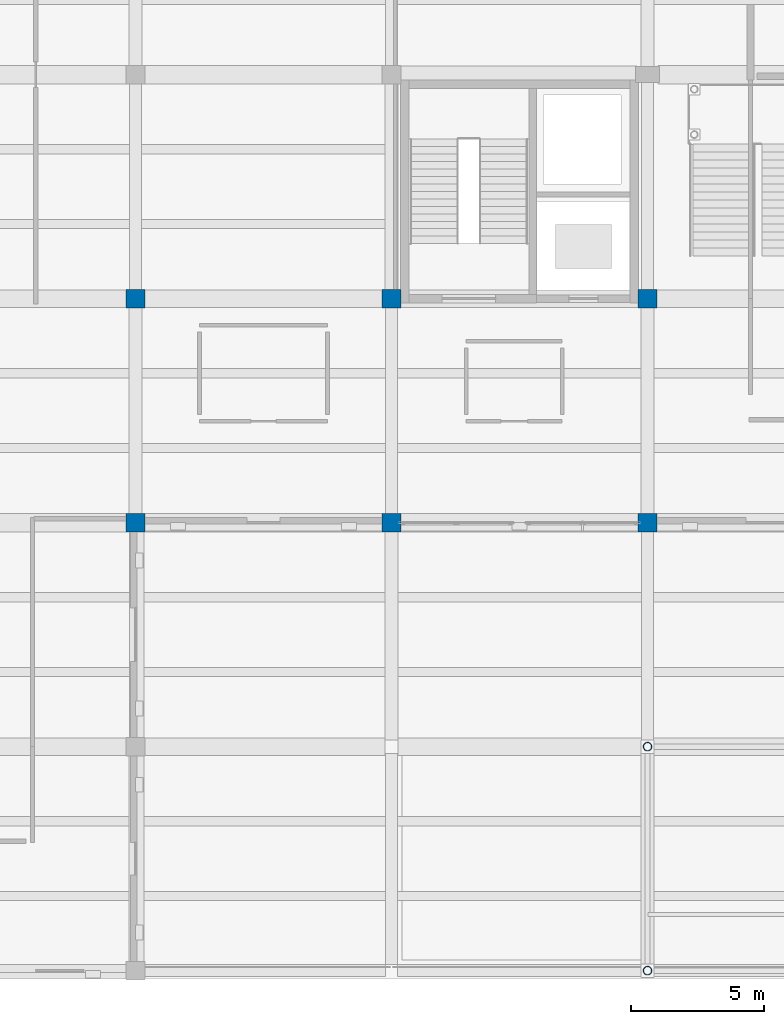
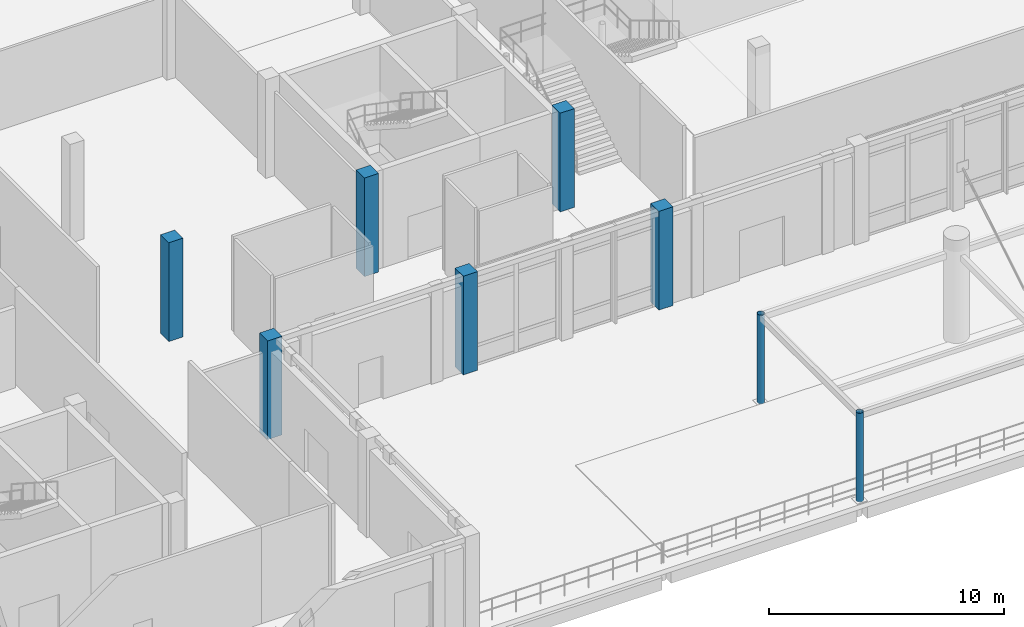
# One storey, part 2 of 71: 8 columns.
"""IFC4 building model written with IfcOpenShell, lengths in metres."""

from ifc_helpers import new_model, si_unit, direction, frame, origin, origin_2d, place, context, subcontext, project, spatial, rectangle, hollow_circle, extrude, material, material_profile, profile_set, type_object, element, save


model = new_model("IFC4")

# Units and contexts
model_context = context("Model", 3, precision=1e-05, world=origin(), true_north=direction((0.0, 1.0)))
body_context = subcontext(model_context, "Body", "Model", "MODEL_VIEW")
ifc_project = project(units=[si_unit("LENGTHUNIT", "METRE"), si_unit("AREAUNIT", "SQUARE_METRE"), si_unit("VOLUMEUNIT", "CUBIC_METRE"), si_unit("PLANEANGLEUNIT", "RADIAN"), si_unit("MASSUNIT", "GRAM", prefix="KILO")], contexts=[model_context])

# Site, building, storey
site_placement = place(None, origin())
site = spatial("IfcSite", under=ifc_project, at=site_placement, CompositionType="ELEMENT")
building_placement = place(site_placement, origin())
building = spatial("IfcBuilding", under=site, at=building_placement, Name="Lornevale Opera House", CompositionType="ELEMENT")
storey_placement = place(building_placement, origin())
storey = spatial("IfcBuildingStorey", under=building, at=storey_placement, Name="L01", CompositionType="ELEMENT", Elevation=0.0)

# Columns
ifc_material_1 = material(Name="Concrete 40 MPa (CSA A23.1 C-1)", Category="concrete")
ifc_material_profile_1 = material_profile(ifc_material_1, rectangle(XDim=0.699951171875, YDim=0.699951171875, at=origin_2d()), Name="RC700x700")
ifc_profile_set_1 = profile_set([ifc_material_profile_1], Name="Concrete 40 MPa (CSA A23.1 C-1)")
column_type_1 = type_object("IfcColumnType", Name="Concrete Column 700x700", PredefinedType="COLUMN", material=ifc_profile_set_1)
for number, where, z_axis, x_axis, name in (
    (1, (38.39990234375, 16.800048828125, 0.0), (0.0, 0.0, 1.0), (1.0, 0.0, 0.0), "Concrete Column 700x700 0227"),
    (2, (38.39990234375, 25.199951171875, 0.0), (0.0, 0.0, 1.0), (1.0, 0.0, 0.0), "Concrete Column 700x700 0232"),
    (3, (48.0, 16.800048828125, 0.0), (0.0, 0.0, 1.0), (1.0, 0.0, 0.0), "Concrete Column 700x700 0291"),
    (4, (48.0, 25.199951171875, 0.0), (0.0, 0.0, 1.0), (1.0, 0.0, 0.0), "Concrete Column 700x700 0296"),
    (5, (57.60009765625, 16.800048828125, 0.0), (0.0, 0.0, 1.0), (1.0, 0.0, 0.0), "Concrete Column 700x700 0354"),
    (6, (57.60009765625, 25.199951171875, 0.0), (0.0, 0.0, 1.0), (1.0, 0.0, 0.0), "Concrete Column 700x700 0359"),
):
    element("IfcColumn", number, at=place(storey_placement, frame(where, z_axis=z_axis, x_axis=x_axis)), inside=storey, type_object=column_type_1, Name=name, PredefinedType="COLUMN", context=body_context, shape_type="SweptSolid", body=[
        extrude(rectangle(XDim=0.699951171875, YDim=0.699951171875, at=origin_2d()), origin(), (0.0, 0.0, 1.0), 5.1201171875),
    ])
ifc_material_2 = material(Name="Structural Steel CSA G40.21 Grade 350W (350 MPa)", Category="steel")
ifc_material_profile_2 = material_profile(ifc_material_2, hollow_circle(Radius=0.162109375, WallThickness=0.0126953125, at=origin_2d()), Name="HSS324x13")
ifc_profile_set_2 = profile_set([ifc_material_profile_2], Name="Structural Steel CSA G40.21 Grade 350W (350 MPa)")
column_type_2 = type_object("IfcColumnType", Name="Portico Canopy Mast HSS324x13", PredefinedType="COLUMN", material=ifc_profile_set_2)
for number, where, z_axis, x_axis, name in (
    (7, (57.60009765625, 0.0, 0.0), (0.0, 0.0, 1.0), (1.0, 0.0, 0.0), "Portico Canopy Mast HSS324x13 1114"),
    (8, (57.60009765625, 8.39990234375, 0.0), (0.0, 0.0, 1.0), (1.0, 0.0, 0.0), "Portico Canopy Rear Mast HSS324x13 1120"),
):
    element("IfcColumn", number, at=place(storey_placement, frame(where, z_axis=z_axis, x_axis=x_axis)), inside=storey, type_object=column_type_2, Name=name, PredefinedType="COLUMN", context=body_context, shape_type="SweptSolid", body=[
        extrude(hollow_circle(Radius=0.162109375, WallThickness=0.0126953125, at=origin_2d()), origin(), (0.0, 0.0, 1.0), 4.610107421875),
    ])

save(model, "model.ifc")
